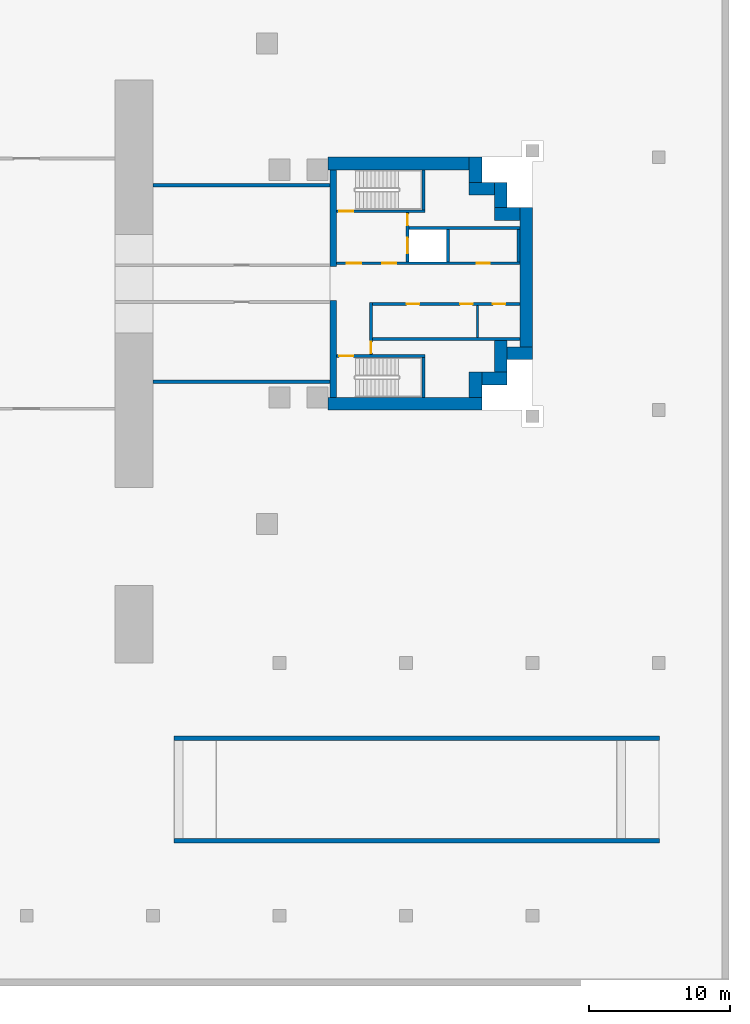
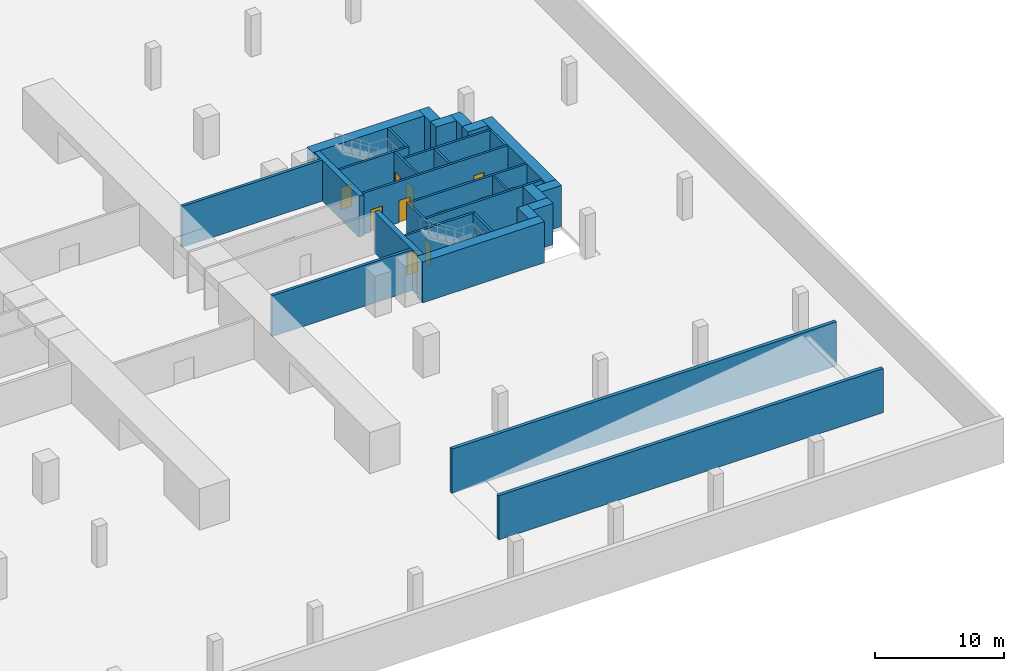
# One storey, part 5 of 8: 30 walls, 11 doors, 11 openings.
"""IFC4 building model written with IfcOpenShell, lengths in metres."""

import ifcopenshell
import ifcopenshell.guid

model = None  # the IFC model being written
_history = None  # IfcOwnerHistory: only IFC2X3 demands one
_inside = {}  # id of a spatial element -> (the spatial element, [elements in it])
_under = {}  # id of a project, library or spatial element -> (it, [spatial elements below it])
_declared = {}  # id of a project -> (the project, [libraries it declares])
_typed = {}  # id of a type object -> (the type object, [elements of that type])
_made_of = {}  # id of a material, layer set ... -> (it, [elements and type objects made of it])


def new_model(schema):
    """Start an empty IFC model of exactly this schema.

    Asked for "IFC4X3", IfcOpenShell would pick the latest addendum, in which some entities
    have other attributes; the version numbers below select the first issue.
    IFC2X3 requires an IfcOwnerHistory on every rooted entity: one is made here for all.
    """
    global model, _history
    if schema == "IFC4X3":
        model = ifcopenshell.file(schema_version=(4, 3, 0, 0))
    else:
        model = ifcopenshell.file(schema=schema)
    _inside.clear()
    _under.clear()
    _declared.clear()
    _typed.clear()
    _made_of.clear()
    _history = None
    if model.schema == "IFC2X3":
        org = make("IfcOrganization", Name="unknown")
        user = make(
            "IfcPersonAndOrganization",
            ThePerson=make("IfcPerson", FamilyName="unknown"),
            TheOrganization=org,
        )
        app = make(
            "IfcApplication",
            ApplicationDeveloper=org,
            Version="unknown",
            ApplicationFullName="unknown",
            ApplicationIdentifier="unknown",
        )
        _history = make(
            "IfcOwnerHistory",
            OwningUser=user,
            OwningApplication=app,
            ChangeAction="ADDED",
            CreationDate=0,
        )
    return model


def make(cls, **values):
    """One entity of the class cls with the attributes given. An attribute that is None is left unset."""
    return model.create_entity(
        cls, **{name: value for name, value in values.items() if value is not None}
    )


def rooted(cls, **values):
    """An entity with a GlobalId (a new one), such as an element, a storey or a relation."""
    return make(cls, GlobalId=ifcopenshell.guid.new(), OwnerHistory=_history, **values)


def si_unit(unit_type, name, prefix=None):
    """IfcSIUnit, for example si_unit("LENGTHUNIT", "METRE", prefix="MILLI")."""
    return make("IfcSIUnit", UnitType=unit_type, Prefix=prefix, Name=name)


def assignment(units):
    """IfcUnitAssignment: the units of a project."""
    return None if units is None else make("IfcUnitAssignment", Units=units)


def point(xyz):
    """IfcCartesianPoint."""
    return None if xyz is None else make("IfcCartesianPoint", Coordinates=xyz)


def direction(xyz):
    """IfcDirection."""
    return None if xyz is None else make("IfcDirection", DirectionRatios=xyz)


def frame(location, z_axis=None, x_axis=None):
    """IfcAxis2Placement3D, a coordinate frame: its origin and axes. An axis left out is left unset."""
    return make(
        "IfcAxis2Placement3D",
        Location=point(location),
        Axis=direction(z_axis),
        RefDirection=direction(x_axis),
    )


def frame_2d(location, x_axis=None):
    """IfcAxis2Placement2D, a coordinate frame in the plane: its origin and x axis."""
    return make(
        "IfcAxis2Placement2D", Location=point(location), RefDirection=direction(x_axis)
    )


def origin():
    """The frame at (0, 0, 0) with its axes left unset."""
    return frame((0.0, 0.0, 0.0))


def place(relative_to, where):
    """IfcLocalPlacement: puts the frame where relative to a parent placement (None: the world)."""
    return make(
        "IfcLocalPlacement", PlacementRelTo=relative_to, RelativePlacement=where
    )


def context(
    kind, dimensions, precision=None, world=None, true_north=None, identifier=None
):
    """IfcGeometricRepresentationContext, for example the 3D "Model" context."""
    return make(
        "IfcGeometricRepresentationContext",
        ContextIdentifier=identifier,
        ContextType=kind,
        CoordinateSpaceDimension=dimensions,
        Precision=precision,
        WorldCoordinateSystem=world,
        TrueNorth=true_north,
    )


def subcontext(parent, identifier, kind, view, scale=None):
    """IfcGeometricRepresentationSubContext, for example "Body" below "Model"."""
    return make(
        "IfcGeometricRepresentationSubContext",
        ContextIdentifier=identifier,
        ContextType=kind,
        ParentContext=parent,
        TargetScale=scale,
        TargetView=view,
    )


def project(units=None, contexts=None):
    """IfcProject with its units and contexts."""
    return rooted(
        "IfcProject",
        Name="project",
        RepresentationContexts=contexts,
        UnitsInContext=assignment(units),
    )


def spatial(cls, under=None, at=None, **own):
    """A site, building, storey or space (cls), placed at a placement, below another one or the project."""
    s = rooted(cls, ObjectPlacement=at, **own)
    if under is not None:
        _under.setdefault(under.id(), (under, []))[1].append(s)
    return s


def profile(cls, at=None, kind="AREA", **sizes):
    """A parametric profile (cls). Its sizes go by their IFC names, for example OverallWidth=200.0."""
    return make(cls, ProfileType=kind, Position=at, **sizes)


def rectangle(**sizes):
    """IfcRectangleProfileDef."""
    return profile("IfcRectangleProfileDef", **sizes)


def extrude(swept, where, along, depth):
    """IfcExtrudedAreaSolid: the profile swept, set in the frame where, extruded along a direction by depth."""
    return make(
        "IfcExtrudedAreaSolid",
        SweptArea=swept,
        Position=where,
        ExtrudedDirection=direction(along),
        Depth=depth,
    )


def shape(context_of_items, identifier, shape_type, items):
    """IfcShapeRepresentation: the items that make up one representation, for example the "Body"."""
    return make(
        "IfcShapeRepresentation",
        ContextOfItems=context_of_items,
        RepresentationIdentifier=identifier,
        RepresentationType=shape_type,
        Items=items,
    )


def material(Name=None, Category=None):
    """IfcMaterial."""
    return make("IfcMaterial", Name=Name, Category=Category)


def layer(
    of_material, thickness, ventilated=None, Name=None, Category=None, Priority=None
):
    """IfcMaterialLayer: one layer of a wall or slab, of a material (None: an air gap)."""
    return make(
        "IfcMaterialLayer",
        Material=of_material,
        LayerThickness=thickness,
        IsVentilated=ventilated,
        Name=Name,
        Category=Category,
        Priority=Priority,
    )


def layer_set(layers, Name=None):
    """IfcMaterialLayerSet."""
    return make("IfcMaterialLayerSet", MaterialLayers=layers, LayerSetName=Name)


def made_of(thing, what):
    """Note that an element or type object is made of a material, layer set ...; save() writes the relation."""
    if what is not None:
        _made_of.setdefault(what.id(), (what, []))[1].append(thing)
    return thing


def type_object(cls, material=None, **own):
    """A type object (cls), such as IfcWallType, which elements share."""
    return made_of(rooted(cls, **own), material)


def element(
    cls,
    number,
    at=None,
    inside=None,
    cuts=None,
    type_object=None,
    material=None,
    context=None,
    identifier="Body",
    shape_type=None,
    held_by="IfcProductDefinitionShape",
    body=None,
    shapes=None,
    **own,
):
    """One element of the class cls, such as IfcWall. Its Tag is "e" and its number.

    at: its placement. inside: the storey or other place that contains it. cuts: it is an
    opening in that element (IfcRelVoidsElement). A single representation is given by context,
    identifier, shape_type and body (its items); several are given by shapes. held_by: the class
    of the entity that holds the representations. save() writes the other relations.
    """
    e = rooted(cls, Tag="e%d" % number, ObjectPlacement=at, **own)
    if body is not None:
        shapes = [shape(context, identifier, shape_type, body)]
    if shapes is not None:
        e.Representation = make(held_by, Representations=shapes)
    if inside is not None:
        _inside.setdefault(inside.id(), (inside, []))[1].append(e)
    if cuts is not None:
        rooted(
            "IfcRelVoidsElement", RelatingBuildingElement=cuts, RelatedOpeningElement=e
        )
    if type_object is not None:
        _typed.setdefault(type_object.id(), (type_object, []))[1].append(e)
    return made_of(e, material)


def fill(opening, filler):
    """IfcRelFillsElement: the door or window that sits in an opening."""
    return rooted(
        "IfcRelFillsElement",
        RelatingOpeningElement=opening,
        RelatedBuildingElement=filler,
    )


def aggregate(whole, parts):
    """IfcRelAggregates: a whole, such as a stair, and the parts it consists of."""
    return rooted("IfcRelAggregates", RelatingObject=whole, RelatedObjects=parts)


def save(model, path):
    """Write the relations noted so far, then the file.

    IfcRelAggregates (storeys below a building ...), IfcRelContainedInSpatialStructure (elements
    in a storey), IfcRelDefinesByType, IfcRelAssociatesMaterial and IfcRelDeclares: one each for
    every whole, place, type object, material and project.
    """
    for whole, parts in _under.values():
        aggregate(whole, parts)
    for where, things in _inside.values():
        rooted(
            "IfcRelContainedInSpatialStructure",
            RelatedElements=things,
            RelatingStructure=where,
        )
    for kind, things in _typed.values():
        rooted("IfcRelDefinesByType", RelatedObjects=things, RelatingType=kind)
    for what, things in _made_of.values():
        rooted("IfcRelAssociatesMaterial", RelatedObjects=things, RelatingMaterial=what)
    for by, libraries in _declared.values():
        rooted("IfcRelDeclares", RelatingContext=by, RelatedDefinitions=libraries)
    model.write(path)


model = new_model("IFC4")

# Units and contexts
model_context = context("Model", 3, precision=1e-05, world=origin(), true_north=direction((0.0, 1.0)))
body_context = subcontext(model_context, "Body", "Model", "MODEL_VIEW")
ifc_project = project(units=[si_unit("LENGTHUNIT", "METRE"), si_unit("AREAUNIT", "SQUARE_METRE"), si_unit("VOLUMEUNIT", "CUBIC_METRE"), si_unit("PLANEANGLEUNIT", "RADIAN"), si_unit("MASSUNIT", "GRAM", prefix="KILO")], contexts=[model_context])

# Site, building, storey
site_placement = place(None, origin())
site = spatial("IfcSite", under=ifc_project, at=site_placement, CompositionType="ELEMENT")
building_placement = place(site_placement, origin())
building = spatial("IfcBuilding", under=site, at=building_placement, Name="Perihelion Cross Residences", CompositionType="ELEMENT")
storey_placement = place(building_placement, frame((0.0, 0.0, -8.699951171875)))
storey = spatial("IfcBuildingStorey", under=building, at=storey_placement, Name="B2", CompositionType="ELEMENT", Elevation=-8.699951171875)

# Walls
ifc_material_1 = material(Name="Concrete C40/50", Category="concrete")
ifc_layer_1 = layer(ifc_material_1, 0.25)
ifc_layer_set_1 = layer_set([ifc_layer_1], Name="Basement enclosure wall 250")
wall_type_1 = type_object("IfcWallType", Name="Basement enclosure wall 250", PredefinedType="SOLIDWALL", material=ifc_layer_set_1)
for number, where, z_axis, x_axis, name in (
    (1, (9.0, 7.0, 0.0), (0.0, 0.0, 1.0), (1.0, 0.0, 0.0), "Basement enclosure wall B2 e.encl.n"),
    (2, (9.0, -7.0, 0.0), (0.0, 0.0, 1.0), (1.0, 0.0, 0.0), "Basement enclosure wall B2 e.encl.s"),
):
    element("IfcWall", number, at=place(storey_placement, frame(where, z_axis=z_axis, x_axis=x_axis)), inside=storey, type_object=wall_type_1, Name=name, PredefinedType="SOLIDWALL", context=body_context, shape_type="SweptSolid", body=[
        extrude(rectangle(XDim=12.60009765625, YDim=0.25, at=frame_2d((6.300048828125, 0.0))), origin(), (0.0, 0.0, 1.0), 3.89990234375),
    ])
ifc_material_2 = material(Name="Concrete C60/75", Category="concrete")
ifc_layer_2 = layer(ifc_material_2, 0.449951171875)
ifc_layer_set_2 = layer_set([ifc_layer_2], Name="Core wall, inner 450")
wall_type_2 = type_object("IfcWallType", Name="Core wall, inner 450", PredefinedType="SHEAR", material=ifc_layer_set_2)
for number, where, z_axis, x_axis, name in (
    (3, (21.824951171875, -8.10009765625, 0.0), (0.0, 0.0, 1.0), (0.0, 1.0, 0.0), "East core core wall, inner"),
    (4, (21.824951171875, 1.199951171875, 0.0), (0.0, 0.0, 1.0), (0.0, 1.0, 0.0), "East core core wall, inner"),
):
    element("IfcWall", number, at=place(storey_placement, frame(where, z_axis=z_axis, x_axis=x_axis)), inside=storey, type_object=wall_type_2, Name=name, PredefinedType="SHEAR", context=body_context, shape_type="SweptSolid", body=[
        extrude(rectangle(XDim=6.900146484375, YDim=0.449951171875, at=frame_2d((3.4501953125, 0.0))), origin(), (0.0, 0.0, 1.0), 3.89990234375),
    ])
ifc_material_3 = material(Name="Concrete C60/75", Category="concrete")
ifc_layer_3 = layer(ifc_material_3, 0.89990234375)
ifc_layer_set_3 = layer_set([ifc_layer_3], Name="Core wall, outer 900")
wall_type_3 = type_object("IfcWallType", Name="Core wall, outer 900", PredefinedType="SHEAR", material=ifc_layer_set_3)
wall_1_placement = place(storey_placement, frame((21.449951171875, -8.550048828125, 0.0), z_axis=(0.0, 0.0, 1.0), x_axis=(1.0, 0.0, 0.0)))
element("IfcWall", 5, at=wall_1_placement, inside=storey, type_object=wall_type_3, Name="East core core wall, outer", PredefinedType="SHEAR", context=body_context, shape_type="SweptSolid", body=[
    extrude(rectangle(XDim=10.949951171875, YDim=0.89990234375, at=frame_2d((5.47509765625, 0.0))), origin(), (0.0, 0.0, 1.0), 3.89990234375),
])
for number, where, z_axis, x_axis, name in (
    (6, (31.949951171875, -8.10009765625, 0.0), (0.0, 0.0, 1.0), (0.0, 1.0, 0.0), "East core core wall, outer"),
    (7, (32.39990234375, -6.75, 0.0), (0.0, 0.0, 1.0), (1.0, 0.0, 0.0), "East core core wall, outer"),
):
    element("IfcWall", number, at=place(storey_placement, frame(where, z_axis=z_axis, x_axis=x_axis)), inside=storey, type_object=wall_type_3, Name=name, PredefinedType="SHEAR", context=body_context, shape_type="SweptSolid", body=[
        extrude(rectangle(XDim=1.800048828125, YDim=0.89990234375, at=frame_2d((0.89990234375, 0.0))), origin(), (0.0, 0.0, 1.0), 3.89990234375),
    ])
wall_2_placement = place(storey_placement, frame((33.75, -6.300048828125, 0.0), z_axis=(0.0, 0.0, 1.0), x_axis=(0.0, 1.0, 0.0)))
element("IfcWall", 8, at=wall_2_placement, inside=storey, type_object=wall_type_3, Name="East core core wall, outer", PredefinedType="SHEAR", context=body_context, shape_type="SweptSolid", body=[
    extrude(rectangle(XDim=2.25, YDim=0.89990234375, at=frame_2d((1.125, 0.0))), origin(), (0.0, 0.0, 1.0), 3.89990234375),
])
wall_3_placement = place(storey_placement, frame((34.199951171875, -4.949951171875, 0.0), z_axis=(0.0, 0.0, 1.0), x_axis=(1.0, 0.0, 0.0)))
element("IfcWall", 9, at=wall_3_placement, inside=storey, type_object=wall_type_3, Name="East core core wall, outer", PredefinedType="SHEAR", context=body_context, shape_type="SweptSolid", body=[
    extrude(rectangle(XDim=1.800048828125, YDim=0.89990234375, at=frame_2d((0.89990234375, 0.0))), origin(), (0.0, 0.0, 1.0), 3.89990234375),
])
wall_4_placement = place(storey_placement, frame((35.550048828125, -4.5, 0.0), z_axis=(0.0, 0.0, 1.0), x_axis=(0.0, 1.0, 0.0)))
element("IfcWall", 10, at=wall_4_placement, inside=storey, type_object=wall_type_3, Name="East core core wall, outer", PredefinedType="SHEAR", context=body_context, shape_type="SweptSolid", body=[
    extrude(rectangle(XDim=9.89990234375, YDim=0.89990234375, at=frame_2d((4.949951171875, 0.0))), origin(), (0.0, 0.0, 1.0), 3.89990234375),
])
for number, where, z_axis, x_axis, name in (
    (11, (33.300048828125, 4.949951171875, 0.0), (0.0, 0.0, 1.0), (1.0, 0.0, 0.0), "East core core wall, outer"),
    (12, (33.75, 5.39990234375, 0.0), (0.0, 0.0, 1.0), (0.0, 1.0, 0.0), "East core core wall, outer"),
    (13, (31.5, 6.75, 0.0), (0.0, 0.0, 1.0), (1.0, 0.0, 0.0), "East core core wall, outer"),
    (14, (31.949951171875, 7.199951171875, 0.0), (0.0, 0.0, 1.0), (0.0, 1.0, 0.0), "East core core wall, outer"),
):
    element("IfcWall", number, at=place(storey_placement, frame(where, z_axis=z_axis, x_axis=x_axis)), inside=storey, type_object=wall_type_3, Name=name, PredefinedType="SHEAR", context=body_context, shape_type="SweptSolid", body=[
        extrude(rectangle(XDim=1.800048828125, YDim=0.89990234375, at=frame_2d((0.89990234375, 0.0))), origin(), (0.0, 0.0, 1.0), 3.89990234375),
    ])
wall_5_placement = place(storey_placement, frame((21.449951171875, 8.550048828125, 0.0), z_axis=(0.0, 0.0, 1.0), x_axis=(1.0, 0.0, 0.0)))
element("IfcWall", 15, at=wall_5_placement, inside=storey, type_object=wall_type_3, Name="East core core wall, outer", PredefinedType="SHEAR", context=body_context, shape_type="SweptSolid", body=[
    extrude(rectangle(XDim=10.050048828125, YDim=0.89990234375, at=frame_2d((5.02490234375, 0.0))), origin(), (0.0, 0.0, 1.0), 3.89990234375),
])

# Wall, opening, door
ifc_material_4 = material(Name="Concrete C50/60", Category="concrete")
ifc_layer_4 = layer(ifc_material_4, 0.199951171875)
ifc_layer_set_4 = layer_set([ifc_layer_4], Name="Lobby wall 200")
wall_type_4 = type_object("IfcWallType", Name="Lobby wall 200", PredefinedType="SOLIDWALL", material=ifc_layer_set_4)
wall_6_placement = place(storey_placement, frame((24.5, -5.050048828125, 0.0), z_axis=(0.0, 0.0, 1.0), x_axis=(0.0, 1.0, 0.0)))
wall_6 = element("IfcWall", 16, at=wall_6_placement, inside=storey, type_object=wall_type_4, Name="East core lobby wall", PredefinedType="SOLIDWALL", context=body_context, shape_type="SweptSolid", body=[
    extrude(rectangle(XDim=3.699951171875, YDim=0.199951171875, at=frame_2d((1.85009765625, 0.0))), origin(), (0.0, 0.0, 1.0), 3.89990234375),
])
opening_1_placement = place(wall_6_placement, frame((0.10009765625, 0.0, 0.0)))
opening_1 = element("IfcOpeningElement", 17, at=opening_1_placement, cuts=wall_6, Name="Opening B2.C05", PredefinedType="OPENING", context=body_context, shape_type="SweptSolid", body=[
    extrude(rectangle(XDim=0.800048828125, YDim=2.10009765625, at=frame_2d((0.39990234375, 1.050048828125))), frame((0.0, 0.10986328125, 0.0), z_axis=(0.0, -1.0, 0.0), x_axis=(1.0, 0.0, 0.0)), (0.0, 0.0, 1.0), 0.219970703125),
])
ifc_material_5 = material(Name="Steel, powder coated", Category="steel")
door_type_1 = type_object("IfcDoorType", Name="Riser door 800", OperationType="SINGLE_SWING_LEFT", PredefinedType="DOOR", material=ifc_material_5)
door_1_placement = place(opening_1_placement, origin())
door_1 = element("IfcDoor", 18, at=door_1_placement, inside=storey, type_object=door_type_1, Name="East core riser door", OperationType="SINGLE_SWING_LEFT", OverallHeight=2.10009765625, OverallWidth=0.800048828125, PredefinedType="DOOR", context=body_context, shape_type="SweptSolid", body=[
    extrude(rectangle(XDim=0.800048828125, YDim=2.10009765625, at=frame_2d((0.39990234375, 1.050048828125))), frame((0.0, 0.02490234375, 0.0), z_axis=(0.0, -1.0, 0.0), x_axis=(1.0, 0.0, 0.0)), (0.0, 0.0, 1.0), 0.050048828125),
])
fill(opening_1, door_1)

# Walls
ifc_material_6 = material(Name="Concrete C40/50", Category="concrete")
ifc_layer_5 = layer(ifc_material_6, 0.300048828125)
ifc_layer_set_5 = layer_set([ifc_layer_5], Name="Ramp side wall 300")
wall_type_5 = type_object("IfcWallType", Name="Ramp side wall 300", PredefinedType="SOLIDWALL", material=ifc_layer_set_5)
for number, where, z_axis, x_axis, name in (
    (19, (10.5, -39.64990234375, 0.0), (0.0, 0.0, 1.0), (1.0, 0.0, 0.0), "Ramp side wall B2 s"),
    (20, (10.5, -32.35009765625, 0.0), (0.0, 0.0, 1.0), (1.0, 0.0, 0.0), "Ramp side wall B2 n"),
):
    element("IfcWall", number, at=place(storey_placement, frame(where, z_axis=z_axis, x_axis=x_axis)), inside=storey, type_object=wall_type_5, Name=name, PredefinedType="SOLIDWALL", context=body_context, shape_type="SweptSolid", body=[
        extrude(rectangle(XDim=34.550048828125, YDim=0.300048828125, at=frame_2d((17.27490234375, 0.0))), origin(), (0.0, 0.0, 1.0), 4.199951171875),
    ])
ifc_material_7 = material(Name="Fire-rated board on steel stud", Category="steel")
ifc_layer_6 = layer(ifc_material_7, 0.14990234375)
ifc_layer_set_6 = layer_set([ifc_layer_6], Name="Riser wall 150")
wall_type_6 = type_object("IfcWallType", Name="Riser wall 150", PredefinedType="PARTITIONING", material=ifc_layer_set_6)
wall_7_placement = place(storey_placement, frame((32.074951171875, -3.85009765625, 0.0), z_axis=(0.0, 0.0, 1.0), x_axis=(0.0, 1.0, 0.0)))
element("IfcWall", 21, at=wall_7_placement, inside=storey, type_object=wall_type_6, Name="East core riser wall", PredefinedType="PARTITIONING", context=body_context, shape_type="SweptSolid", body=[
    extrude(rectangle(XDim=2.300048828125, YDim=0.14990234375, at=frame_2d((1.14990234375, 0.0))), origin(), (0.0, 0.0, 1.0), 3.89990234375),
])

# Wall, openings, doors
ifc_material_8 = material(Name="Concrete C50/60", Category="concrete")
ifc_layer_7 = layer(ifc_material_8, 0.199951171875)
ifc_layer_set_7 = layer_set([ifc_layer_7], Name="Shaft wall 200")
wall_type_7 = type_object("IfcWallType", Name="Shaft wall 200", PredefinedType="SOLIDWALL", material=ifc_layer_set_7)
wall_8_placement = place(storey_placement, frame((22.050048828125, 1.449951171875, 0.0), z_axis=(0.0, 0.0, 1.0), x_axis=(1.0, 0.0, 0.0)))
wall_8 = element("IfcWall", 22, at=wall_8_placement, inside=storey, type_object=wall_type_7, Name="East core shaft wall", PredefinedType="SOLIDWALL", context=body_context, shape_type="SweptSolid", body=[
    extrude(rectangle(XDim=13.050048828125, YDim=0.199951171875, at=frame_2d((6.52490234375, 0.0))), origin(), (0.0, 0.0, 1.0), 3.89990234375),
])
opening_2_placement = place(wall_8_placement, frame((0.75, 0.0, 0.0)))
opening_2 = element("IfcOpeningElement", 23, at=opening_2_placement, cuts=wall_8, Name="Opening B2.C04", PredefinedType="OPENING", context=body_context, shape_type="SweptSolid", body=[
    extrude(rectangle(XDim=1.0, YDim=2.10009765625, at=frame_2d((0.5, 1.050048828125))), frame((0.0, 0.10986328125, 0.0), z_axis=(0.0, -1.0, 0.0), x_axis=(1.0, 0.0, 0.0)), (0.0, 0.0, 1.0), 0.219970703125),
])
opening_3_placement = place(wall_8_placement, frame((3.25, 0.0, 0.0)))
opening_3 = element("IfcOpeningElement", 24, at=opening_3_placement, cuts=wall_8, Name="Opening B2.C06", PredefinedType="OPENING", context=body_context, shape_type="SweptSolid", body=[
    extrude(rectangle(XDim=1.0, YDim=2.10009765625, at=frame_2d((0.5, 1.050048828125))), frame((0.0, 0.10986328125, 0.0), z_axis=(0.0, -1.0, 0.0), x_axis=(1.0, 0.0, 0.0)), (0.0, 0.0, 1.0), 0.219970703125),
])
opening_4_placement = place(wall_8_placement, frame((10.0, 0.0, 0.0)))
opening_4 = element("IfcOpeningElement", 25, at=opening_4_placement, cuts=wall_8, Name="Opening B2.C10", PredefinedType="OPENING", context=body_context, shape_type="SweptSolid", body=[
    extrude(rectangle(XDim=0.89990234375, YDim=2.10009765625, at=frame_2d((0.449951171875, 1.050048828125))), frame((0.0, 0.10986328125, 0.0), z_axis=(0.0, -1.0, 0.0), x_axis=(1.0, 0.0, 0.0)), (0.0, 0.0, 1.0), 0.219970703125),
])
ifc_material_9 = material(Name="Steel, powder coated", Category="steel")
door_type_2 = type_object("IfcDoorType", Name="Lobby door 1000", OperationType="SINGLE_SWING_LEFT", PredefinedType="DOOR", material=ifc_material_9)
door_2_placement = place(opening_2_placement, origin())
door_2 = element("IfcDoor", 26, at=door_2_placement, inside=storey, type_object=door_type_2, Name="East core firefighting lobby door", OperationType="SINGLE_SWING_LEFT", OverallHeight=2.10009765625, OverallWidth=1.0, PredefinedType="DOOR", context=body_context, shape_type="SweptSolid", body=[
    extrude(rectangle(XDim=1.0, YDim=2.10009765625, at=frame_2d((0.5, 1.050048828125))), frame((0.0, 0.02490234375, 0.0), z_axis=(0.0, -1.0, 0.0), x_axis=(1.0, 0.0, 0.0)), (0.0, 0.0, 1.0), 0.050048828125),
])
fill(opening_2, door_2)
door_3_placement = place(opening_3_placement, origin())
door_3 = element("IfcDoor", 27, at=door_3_placement, inside=storey, type_object=door_type_2, Name="East core firefighting lobby door", OperationType="SINGLE_SWING_LEFT", OverallHeight=2.10009765625, OverallWidth=1.0, PredefinedType="DOOR", context=body_context, shape_type="SweptSolid", body=[
    extrude(rectangle(XDim=1.0, YDim=2.10009765625, at=frame_2d((0.5, 1.050048828125))), frame((0.0, 0.02490234375, 0.0), z_axis=(0.0, -1.0, 0.0), x_axis=(1.0, 0.0, 0.0)), (0.0, 0.0, 1.0), 0.050048828125),
])
fill(opening_3, door_3)
ifc_material_10 = material(Name="Steel, powder coated", Category="steel")
door_type_3 = type_object("IfcDoorType", Name="Service room door 900", OperationType="SINGLE_SWING_LEFT", PredefinedType="DOOR", material=ifc_material_10)
door_4_placement = place(opening_4_placement, origin())
door_4 = element("IfcDoor", 28, at=door_4_placement, inside=storey, type_object=door_type_3, Name="East core service room door", OperationType="SINGLE_SWING_LEFT", OverallHeight=2.10009765625, OverallWidth=0.89990234375, PredefinedType="DOOR", context=body_context, shape_type="SweptSolid", body=[
    extrude(rectangle(XDim=0.89990234375, YDim=2.10009765625, at=frame_2d((0.449951171875, 1.050048828125))), frame((0.0, 0.02490234375, 0.0), z_axis=(0.0, -1.0, 0.0), x_axis=(1.0, 0.0, 0.0)), (0.0, 0.0, 1.0), 0.050048828125),
])
fill(opening_4, door_4)

wall_9_placement = place(storey_placement, frame((24.60009765625, -1.449951171875, 0.0), z_axis=(0.0, 0.0, 1.0), x_axis=(1.0, 0.0, 0.0)))
wall_9 = element("IfcWall", 29, at=wall_9_placement, inside=storey, type_object=wall_type_7, Name="East core shaft wall", PredefinedType="SOLIDWALL", context=body_context, shape_type="SweptSolid", body=[
    extrude(rectangle(XDim=10.5, YDim=0.199951171875, at=frame_2d((5.25, 0.0))), origin(), (0.0, 0.0, 1.0), 3.89990234375),
])
opening_5_placement = place(wall_9_placement, frame((2.449951171875, 0.0, 0.0)))
opening_5 = element("IfcOpeningElement", 30, at=opening_5_placement, cuts=wall_9, Name="Opening B2.C08", PredefinedType="OPENING", context=body_context, shape_type="SweptSolid", body=[
    extrude(rectangle(XDim=0.89990234375, YDim=2.10009765625, at=frame_2d((0.449951171875, 1.050048828125))), frame((0.0, 0.10986328125, 0.0), z_axis=(0.0, -1.0, 0.0), x_axis=(1.0, 0.0, 0.0)), (0.0, 0.0, 1.0), 0.219970703125),
])
opening_6_placement = place(wall_9_placement, frame((6.25, 0.0, 0.0)))
opening_6 = element("IfcOpeningElement", 31, at=opening_6_placement, cuts=wall_9, Name="Opening B2.C09", PredefinedType="OPENING", context=body_context, shape_type="SweptSolid", body=[
    extrude(rectangle(XDim=0.89990234375, YDim=2.10009765625, at=frame_2d((0.449951171875, 1.050048828125))), frame((0.0, 0.10986328125, 0.0), z_axis=(0.0, -1.0, 0.0), x_axis=(1.0, 0.0, 0.0)), (0.0, 0.0, 1.0), 0.219970703125),
])
opening_7_placement = place(wall_9_placement, frame((8.574951171875, 0.0, 0.0)))
opening_7 = element("IfcOpeningElement", 32, at=opening_7_placement, cuts=wall_9, Name="Opening B2.C11", PredefinedType="OPENING", context=body_context, shape_type="SweptSolid", body=[
    extrude(rectangle(XDim=0.89990234375, YDim=2.10009765625, at=frame_2d((0.449951171875, 1.050048828125))), frame((0.0, 0.10986328125, 0.0), z_axis=(0.0, -1.0, 0.0), x_axis=(1.0, 0.0, 0.0)), (0.0, 0.0, 1.0), 0.219970703125),
])
door_5_placement = place(opening_5_placement, origin())
door_5 = element("IfcDoor", 33, at=door_5_placement, inside=storey, type_object=door_type_3, Name="East core service room door", OperationType="SINGLE_SWING_LEFT", OverallHeight=2.10009765625, OverallWidth=0.89990234375, PredefinedType="DOOR", context=body_context, shape_type="SweptSolid", body=[
    extrude(rectangle(XDim=0.89990234375, YDim=2.10009765625, at=frame_2d((0.449951171875, 1.050048828125))), frame((0.0, 0.02490234375, 0.0), z_axis=(0.0, -1.0, 0.0), x_axis=(1.0, 0.0, 0.0)), (0.0, 0.0, 1.0), 0.050048828125),
])
fill(opening_5, door_5)
door_6_placement = place(opening_6_placement, origin())
door_6 = element("IfcDoor", 34, at=door_6_placement, inside=storey, type_object=door_type_3, Name="East core service room door", OperationType="SINGLE_SWING_LEFT", OverallHeight=2.10009765625, OverallWidth=0.89990234375, PredefinedType="DOOR", context=body_context, shape_type="SweptSolid", body=[
    extrude(rectangle(XDim=0.89990234375, YDim=2.10009765625, at=frame_2d((0.449951171875, 1.050048828125))), frame((0.0, 0.02490234375, 0.0), z_axis=(0.0, -1.0, 0.0), x_axis=(1.0, 0.0, 0.0)), (0.0, 0.0, 1.0), 0.050048828125),
])
fill(opening_6, door_6)
door_7_placement = place(opening_7_placement, origin())
door_7 = element("IfcDoor", 35, at=door_7_placement, inside=storey, type_object=door_type_3, Name="East core service room door", OperationType="SINGLE_SWING_LEFT", OverallHeight=2.10009765625, OverallWidth=0.89990234375, PredefinedType="DOOR", context=body_context, shape_type="SweptSolid", body=[
    extrude(rectangle(XDim=0.89990234375, YDim=2.10009765625, at=frame_2d((0.449951171875, 1.050048828125))), frame((0.0, 0.02490234375, 0.0), z_axis=(0.0, -1.0, 0.0), x_axis=(1.0, 0.0, 0.0)), (0.0, 0.0, 1.0), 0.050048828125),
])
fill(opening_7, door_7)

# Walls
wall_10_placement = place(storey_placement, frame((27.199951171875, 3.949951171875, 0.0), z_axis=(0.0, 0.0, 1.0), x_axis=(1.0, 0.0, 0.0)))
element("IfcWall", 36, at=wall_10_placement, inside=storey, type_object=wall_type_7, Name="East core shaft wall", PredefinedType="SOLIDWALL", context=body_context, shape_type="SweptSolid", body=[
    extrude(rectangle(XDim=7.900146484375, YDim=0.199951171875, at=frame_2d((3.9501953125, 0.0))), origin(), (0.0, 0.0, 1.0), 3.89990234375),
])
wall_11_placement = place(storey_placement, frame((24.60009765625, -3.949951171875, 0.0), z_axis=(0.0, 0.0, 1.0), x_axis=(1.0, 0.0, 0.0)))
element("IfcWall", 37, at=wall_11_placement, inside=storey, type_object=wall_type_7, Name="East core shaft wall", PredefinedType="SOLIDWALL", context=body_context, shape_type="SweptSolid", body=[
    extrude(rectangle(XDim=10.5, YDim=0.199951171875, at=frame_2d((5.25, 0.0))), origin(), (0.0, 0.0, 1.0), 3.89990234375),
])

# Wall, openings, doors
wall_12_placement = place(storey_placement, frame((27.10009765625, 1.550048828125, 0.0), z_axis=(0.0, 0.0, 1.0), x_axis=(0.0, 1.0, 0.0)))
wall_12 = element("IfcWall", 38, at=wall_12_placement, inside=storey, type_object=wall_type_7, Name="East core shaft wall", PredefinedType="SOLIDWALL", context=body_context, shape_type="SweptSolid", body=[
    extrude(rectangle(XDim=3.5, YDim=0.199951171875, at=frame_2d((1.75, 0.0))), origin(), (0.0, 0.0, 1.0), 3.89990234375),
])
opening_8_placement = place(wall_12_placement, frame((0.60009765625, 0.0, 0.0)))
opening_8 = element("IfcOpeningElement", 39, at=opening_8_placement, cuts=wall_12, Name="Opening B2.C01", PredefinedType="OPENING", context=body_context, shape_type="SweptSolid", body=[
    extrude(rectangle(XDim=1.10009765625, YDim=2.10009765625, at=frame_2d((0.550048828125, 1.050048828125))), frame((0.0, 0.10986328125, 0.0), z_axis=(0.0, -1.0, 0.0), x_axis=(1.0, 0.0, 0.0)), (0.0, 0.0, 1.0), 0.219970703125),
])
opening_9_placement = place(wall_12_placement, frame((2.60009765625, 0.0, 0.0)))
opening_9 = element("IfcOpeningElement", 40, at=opening_9_placement, cuts=wall_12, Name="Opening B2.C07", PredefinedType="OPENING", context=body_context, shape_type="SweptSolid", body=[
    extrude(rectangle(XDim=0.800048828125, YDim=2.10009765625, at=frame_2d((0.39990234375, 1.050048828125))), frame((0.0, 0.10986328125, 0.0), z_axis=(0.0, -1.0, 0.0), x_axis=(1.0, 0.0, 0.0)), (0.0, 0.0, 1.0), 0.219970703125),
])
ifc_material_11 = material(Name="Stainless steel", Category="steel")
door_type_4 = type_object("IfcDoorType", Name="Landing door, firefighting lift 1100", OperationType="DOUBLE_DOOR_SLIDING", PredefinedType="DOOR", material=ifc_material_11)
door_8_placement = place(opening_8_placement, origin())
door_8 = element("IfcDoor", 41, at=door_8_placement, inside=storey, type_object=door_type_4, Name="Landing door, East core firefighting and service lift", OperationType="DOUBLE_DOOR_SLIDING", OverallHeight=2.10009765625, OverallWidth=1.10009765625, PredefinedType="DOOR", context=body_context, shape_type="SweptSolid", body=[
    extrude(rectangle(XDim=1.10009765625, YDim=2.10009765625, at=frame_2d((0.550048828125, 1.050048828125))), frame((0.0, 0.02490234375, 0.0), z_axis=(0.0, -1.0, 0.0), x_axis=(1.0, 0.0, 0.0)), (0.0, 0.0, 1.0), 0.050048828125),
])
fill(opening_8, door_8)
door_9_placement = place(opening_9_placement, origin())
door_9 = element("IfcDoor", 42, at=door_9_placement, inside=storey, type_object=door_type_1, Name="East core riser door", OperationType="SINGLE_SWING_LEFT", OverallHeight=2.10009765625, OverallWidth=0.800048828125, PredefinedType="DOOR", context=body_context, shape_type="SweptSolid", body=[
    extrude(rectangle(XDim=0.800048828125, YDim=2.10009765625, at=frame_2d((0.39990234375, 1.050048828125))), frame((0.0, 0.02490234375, 0.0), z_axis=(0.0, -1.0, 0.0), x_axis=(1.0, 0.0, 0.0)), (0.0, 0.0, 1.0), 0.050048828125),
])
fill(opening_9, door_9)

# Walls
for number, where, z_axis, x_axis, name in (
    (43, (30.0, 1.550048828125, 0.0), (0.0, 0.0, 1.0), (0.0, 1.0, 0.0), "East core shaft wall"),
    (44, (35.0, 1.550048828125, 0.0), (0.0, 0.0, 1.0), (0.0, 1.0, 0.0), "East core shaft wall"),
):
    element("IfcWall", number, at=place(storey_placement, frame(where, z_axis=z_axis, x_axis=x_axis)), inside=storey, type_object=wall_type_7, Name=name, PredefinedType="SOLIDWALL", context=body_context, shape_type="SweptSolid", body=[
        extrude(rectangle(XDim=2.300048828125, YDim=0.199951171875, at=frame_2d((1.14990234375, 0.0))), origin(), (0.0, 0.0, 1.0), 3.89990234375),
    ])

# Wall, opening, door
ifc_material_12 = material(Name="Concrete C50/60", Category="concrete")
ifc_layer_8 = layer(ifc_material_12, 0.199951171875)
ifc_layer_set_8 = layer_set([ifc_layer_8], Name="Stair wall 200")
wall_type_8 = type_object("IfcWallType", Name="Stair wall 200", PredefinedType="SOLIDWALL", material=ifc_layer_set_8)
wall_13_placement = place(storey_placement, frame((22.050048828125, 5.14990234375, 0.0), z_axis=(0.0, 0.0, 1.0), x_axis=(1.0, 0.0, 0.0)))
wall_13 = element("IfcWall", 45, at=wall_13_placement, inside=storey, type_object=wall_type_8, Name="East core stair wall", PredefinedType="SOLIDWALL", context=body_context, shape_type="SweptSolid", body=[
    extrude(rectangle(XDim=6.300048828125, YDim=0.199951171875, at=frame_2d((3.14990234375, 0.0))), origin(), (0.0, 0.0, 1.0), 3.89990234375),
])
opening_10_placement = place(wall_13_placement, frame((0.199951171875, 0.0, 0.0)))
opening_10 = element("IfcOpeningElement", 46, at=opening_10_placement, cuts=wall_13, Name="Opening B2.C03", PredefinedType="OPENING", context=body_context, shape_type="SweptSolid", body=[
    extrude(rectangle(XDim=1.0, YDim=2.10009765625, at=frame_2d((0.5, 1.050048828125))), frame((0.0, 0.10986328125, 0.0), z_axis=(0.0, -1.0, 0.0), x_axis=(1.0, 0.0, 0.0)), (0.0, 0.0, 1.0), 0.219970703125),
])
ifc_material_13 = material(Name="Steel, powder coated", Category="steel")
door_type_5 = type_object("IfcDoorType", Name="Stair door 1000", OperationType="SINGLE_SWING_LEFT", PredefinedType="DOOR", material=ifc_material_13)
door_10_placement = place(opening_10_placement, origin())
door_10 = element("IfcDoor", 47, at=door_10_placement, inside=storey, type_object=door_type_5, Name="East core stair door", OperationType="SINGLE_SWING_LEFT", OverallHeight=2.10009765625, OverallWidth=1.0, PredefinedType="DOOR", context=body_context, shape_type="SweptSolid", body=[
    extrude(rectangle(XDim=1.0, YDim=2.10009765625, at=frame_2d((0.5, 1.050048828125))), frame((0.0, 0.02490234375, 0.0), z_axis=(0.0, -1.0, 0.0), x_axis=(1.0, 0.0, 0.0)), (0.0, 0.0, 1.0), 0.050048828125),
])
fill(opening_10, door_10)

wall_14_placement = place(storey_placement, frame((22.050048828125, -5.14990234375, 0.0), z_axis=(0.0, 0.0, 1.0), x_axis=(1.0, 0.0, 0.0)))
wall_14 = element("IfcWall", 48, at=wall_14_placement, inside=storey, type_object=wall_type_8, Name="East core stair wall", PredefinedType="SOLIDWALL", context=body_context, shape_type="SweptSolid", body=[
    extrude(rectangle(XDim=6.300048828125, YDim=0.199951171875, at=frame_2d((3.14990234375, 0.0))), origin(), (0.0, 0.0, 1.0), 3.89990234375),
])
opening_11_placement = place(wall_14_placement, frame((0.199951171875, 0.0, 0.0)))
opening_11 = element("IfcOpeningElement", 49, at=opening_11_placement, cuts=wall_14, Name="Opening B2.C02", PredefinedType="OPENING", context=body_context, shape_type="SweptSolid", body=[
    extrude(rectangle(XDim=1.0, YDim=2.10009765625, at=frame_2d((0.5, 1.050048828125))), frame((0.0, 0.10986328125, 0.0), z_axis=(0.0, -1.0, 0.0), x_axis=(1.0, 0.0, 0.0)), (0.0, 0.0, 1.0), 0.219970703125),
])
door_11_placement = place(opening_11_placement, origin())
door_11 = element("IfcDoor", 50, at=door_11_placement, inside=storey, type_object=door_type_5, Name="East core stair door", OperationType="SINGLE_SWING_LEFT", OverallHeight=2.10009765625, OverallWidth=1.0, PredefinedType="DOOR", context=body_context, shape_type="SweptSolid", body=[
    extrude(rectangle(XDim=1.0, YDim=2.10009765625, at=frame_2d((0.5, 1.050048828125))), frame((0.0, 0.02490234375, 0.0), z_axis=(0.0, -1.0, 0.0), x_axis=(1.0, 0.0, 0.0)), (0.0, 0.0, 1.0), 0.050048828125),
])
fill(opening_11, door_11)

# Walls
for number, where, z_axis, x_axis, name in (
    (51, (28.25, 5.25, 0.0), (0.0, 0.0, 1.0), (0.0, 1.0, 0.0), "East core stair wall"),
    (52, (28.25, -8.10009765625, 0.0), (0.0, 0.0, 1.0), (0.0, 1.0, 0.0), "East core stair wall"),
):
    element("IfcWall", number, at=place(storey_placement, frame(where, z_axis=z_axis, x_axis=x_axis)), inside=storey, type_object=wall_type_8, Name=name, PredefinedType="SOLIDWALL", context=body_context, shape_type="SweptSolid", body=[
        extrude(rectangle(XDim=2.85009765625, YDim=0.199951171875, at=frame_2d((1.425048828125, 0.0))), origin(), (0.0, 0.0, 1.0), 3.89990234375),
    ])

save(model, "model.ifc")
